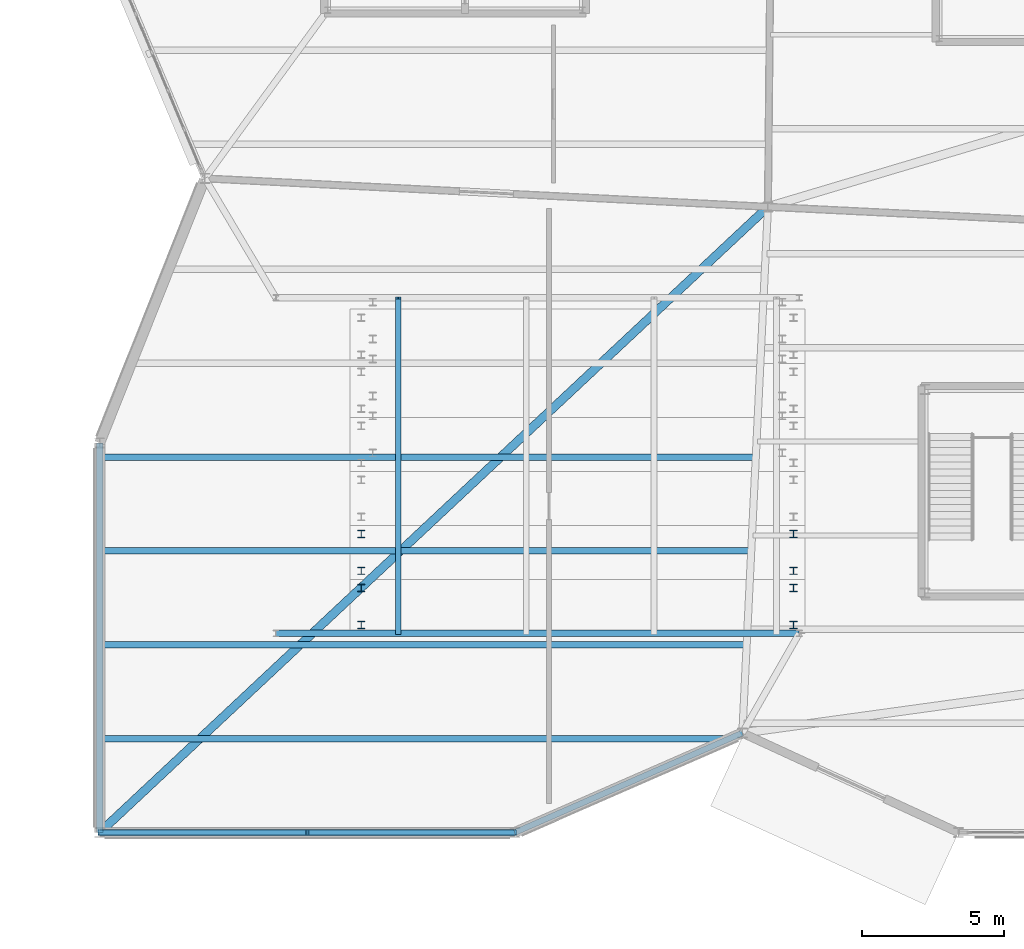
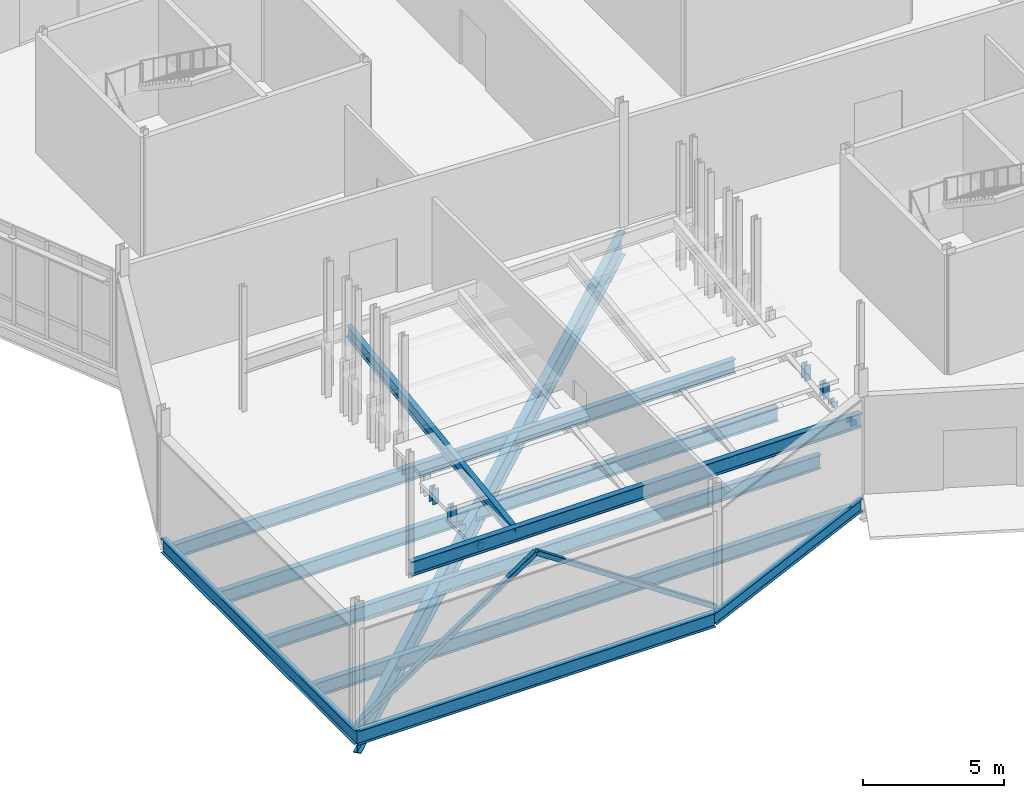
# One storey, part 22 of 113: 10 beams, 8 columns, 2 members.
"""IFC4 building model written with IfcOpenShell, lengths in metres."""

from ifc_helpers import new_model, si_unit, direction, frame, origin, origin_2d, place, context, subcontext, project, spatial, hollow_rectangle, i_section, extrude, material, material_profile, profile_set, type_object, element, save


model = new_model("IFC4")

# Units and contexts
model_context = context("Model", 3, precision=1e-05, world=origin(), true_north=direction((0.0, 1.0)))
body_context = subcontext(model_context, "Body", "Model", "MODEL_VIEW")
ifc_project = project(units=[si_unit("LENGTHUNIT", "METRE"), si_unit("AREAUNIT", "SQUARE_METRE"), si_unit("VOLUMEUNIT", "CUBIC_METRE"), si_unit("PLANEANGLEUNIT", "RADIAN"), si_unit("MASSUNIT", "GRAM", prefix="KILO")], contexts=[model_context])

# Site, building, storey
site_placement = place(None, origin())
site = spatial("IfcSite", under=ifc_project, at=site_placement, CompositionType="ELEMENT")
building_placement = place(site_placement, origin())
building = spatial("IfcBuilding", under=site, at=building_placement, Name="Tameran Prism Museum", CompositionType="ELEMENT")
storey_placement = place(building_placement, origin())
storey = spatial("IfcBuildingStorey", under=building, at=storey_placement, Name="L00", CompositionType="ELEMENT", Elevation=0.0)

# Columns
ifc_material_1 = material(Name="Steel Grade 300PLUS (300 MPa)", Category="steel")
ifc_material_profile_1 = material_profile(ifc_material_1, i_section(OverallWidth=0.25390625, OverallDepth=0.25390625, WebThickness=0.008544921875, FlangeThickness=0.01416015625, FilletRadius=0.0126953125, at=origin_2d()))
ifc_profile_set_1 = profile_set([ifc_material_profile_1])
column_type = type_object("IfcColumnType", Name="COL-UC250B", PredefinedType="COLUMN", material=ifc_profile_set_1)
for number, where, z_axis, x_axis, name in (
    (1, (9.199951171875, 7.300048828125, 0.0), (0.0, 0.0, 1.0), (1.0, 0.0, 0.0), "Auditorium Tier Riser Column CAT-L0-01"),
    (2, (9.199951171875, 8.60009765625, 0.0), (0.0, 0.0, 1.0), (1.0, 0.0, 0.0), "Auditorium Tier Riser Column CAT-L0-02"),
    (3, (24.39990234375, 7.300048828125, 0.0), (0.0, 0.0, 1.0), (1.0, 0.0, 0.0), "Auditorium Tier Riser Column CAT-L0-03"),
    (4, (24.39990234375, 8.60009765625, 0.0), (0.0, 0.0, 1.0), (1.0, 0.0, 0.0), "Auditorium Tier Riser Column CAT-L0-04"),
):
    element("IfcColumn", number, at=place(storey_placement, frame(where, z_axis=z_axis, x_axis=x_axis)), inside=storey, type_object=column_type, Name=name, PredefinedType="COLUMN", context=body_context, shape_type="SweptSolid", body=[
        extrude(i_section(OverallWidth=0.25390625, OverallDepth=0.25390625, WebThickness=0.008544921875, FlangeThickness=0.01416015625, FilletRadius=0.0126953125, at=origin_2d()), origin(), (0.0, 0.0, 1.0), 0.2548828125),
    ])
for number, where, z_axis, x_axis, name in (
    (5, (9.199951171875, 9.199951171875, 0.0), (0.0, 0.0, 1.0), (1.0, 0.0, 0.0), "Auditorium Tier Riser Column CAT-L0-05"),
    (6, (9.199951171875, 10.5, 0.0), (0.0, 0.0, 1.0), (1.0, 0.0, 0.0), "Auditorium Tier Riser Column CAT-L0-06"),
    (7, (24.39990234375, 9.199951171875, 0.0), (0.0, 0.0, 1.0), (1.0, 0.0, 0.0), "Auditorium Tier Riser Column CAT-L0-07"),
    (8, (24.39990234375, 10.5, 0.0), (0.0, 0.0, 1.0), (1.0, 0.0, 0.0), "Auditorium Tier Riser Column CAT-L0-08"),
):
    element("IfcColumn", number, at=place(storey_placement, frame(where, z_axis=z_axis, x_axis=x_axis)), inside=storey, type_object=column_type, Name=name, PredefinedType="COLUMN", context=body_context, shape_type="SweptSolid", body=[
        extrude(i_section(OverallWidth=0.25390625, OverallDepth=0.25390625, WebThickness=0.008544921875, FlangeThickness=0.01416015625, FilletRadius=0.0126953125, at=origin_2d()), origin(), (0.0, 0.0, 1.0), 0.675048828125),
    ])

# Beams
ifc_material_2 = material(Name="Steel Grade 300PLUS (300 MPa)", Category="steel")
ifc_material_profile_2 = material_profile(ifc_material_2, i_section(OverallWidth=0.208984375, OverallDepth=0.532958984375, WebThickness=0.01025390625, FlangeThickness=0.015625, FilletRadius=0.013916015625, at=origin_2d()))
ifc_profile_set_2 = profile_set([ifc_material_profile_2])
beam_type_1 = type_object("IfcBeamType", Name="BM-RAK530", PredefinedType="USERDEFINED", material=ifc_profile_set_2)
beam_1_placement = place(storey_placement, frame((10.5, 7.0, 0.340087890625), z_axis=(0.0, 0.990821558572, 0.135176325848), x_axis=(-1.0, 0.0, 0.0)))
element("IfcBeam", 9, at=beam_1_placement, inside=storey, type_object=beam_type_1, Name="Auditorium Raker Beam RK-1442", ObjectType="RAKER", PredefinedType="USERDEFINED", context=body_context, shape_type="SweptSolid", body=[
    extrude(i_section(OverallWidth=0.208984375, OverallDepth=0.532958984375, WebThickness=0.01025390625, FlangeThickness=0.015625, FilletRadius=0.013916015625, at=origin_2d()), origin(), (0.0, 0.0, 1.0), 11.909423828125),
])
ifc_material_3 = material(Name="Steel Grade 300PLUS (300 MPa)", Category="steel")
ifc_material_profile_3 = material_profile(ifc_material_3, i_section(OverallWidth=0.208984375, OverallDepth=0.532958984375, WebThickness=0.01025390625, FlangeThickness=0.015625, FilletRadius=0.013916015625, at=origin_2d()))
ifc_profile_set_3 = profile_set([ifc_material_profile_3])
beam_type_2 = type_object("IfcBeamType", Name="BM-SP530A", PredefinedType="SPANDREL", material=ifc_profile_set_3)
beam_2_placement = place(storey_placement, frame((14.60009765625, 0.0, -0.506591796875), z_axis=(0.916157334902, 0.40081883402, 0.0), x_axis=(-0.40081883402, 0.916157334902, 0.0)))
element("IfcBeam", 10, at=beam_2_placement, inside=storey, type_object=beam_type_2, Name="Perimeter Spandrel SP-0059", PredefinedType="SPANDREL", context=body_context, shape_type="SweptSolid", body=[
    extrude(i_section(OverallWidth=0.208984375, OverallDepth=0.532958984375, WebThickness=0.01025390625, FlangeThickness=0.015625, FilletRadius=0.013916015625, at=origin_2d()), origin(), (0.0, 0.0, 1.0), 8.732177734375),
])
ifc_material_4 = material(Name="Steel Grade 300PLUS (300 MPa)", Category="steel")
ifc_material_profile_4 = material_profile(ifc_material_4, i_section(OverallWidth=0.22802734375, OverallDepth=0.60205078125, WebThickness=0.010498046875, FlangeThickness=0.014892578125, FilletRadius=0.013916015625, at=origin_2d()))
ifc_profile_set_4 = profile_set([ifc_material_profile_4])
beam_type_3 = type_object("IfcBeamType", Name="BM-SP610", PredefinedType="SPANDREL", material=ifc_profile_set_4)
beam_3_placement = place(storey_placement, frame((0.0, 13.699951171875, -0.541015625), z_axis=(0.0, -1.0, 0.0), x_axis=(1.0, 0.0, 0.0)))
element("IfcBeam", 11, at=beam_3_placement, inside=storey, type_object=beam_type_3, Name="Perimeter Spandrel SP-0057", PredefinedType="SPANDREL", context=body_context, shape_type="SweptSolid", body=[
    extrude(i_section(OverallWidth=0.22802734375, OverallDepth=0.60205078125, WebThickness=0.010498046875, FlangeThickness=0.014892578125, FilletRadius=0.013916015625, at=origin_2d()), origin(), (0.0, 0.0, 1.0), 13.699951171875),
])
beam_4_placement = place(storey_placement, frame((0.0, 0.0, -0.541015625), z_axis=(1.0, 0.0, 0.0), x_axis=(0.0, 1.0, 0.0)))
element("IfcBeam", 12, at=beam_4_placement, inside=storey, type_object=beam_type_3, Name="Perimeter Spandrel SP-0058", PredefinedType="SPANDREL", context=body_context, shape_type="SweptSolid", body=[
    extrude(i_section(OverallWidth=0.22802734375, OverallDepth=0.60205078125, WebThickness=0.010498046875, FlangeThickness=0.014892578125, FilletRadius=0.013916015625, at=origin_2d()), origin(), (0.0, 0.0, 1.0), 14.60009765625),
])
ifc_material_5 = material(Name="Steel Grade 300PLUS (300 MPa)", Category="steel")
ifc_material_profile_5 = material_profile(ifc_material_5, i_section(OverallWidth=0.22900390625, OverallDepth=0.612060546875, WebThickness=0.011962890625, FlangeThickness=0.01953125, FilletRadius=0.013916015625, at=origin_2d()))
ifc_profile_set_5 = profile_set([ifc_material_profile_5])
beam_type_4 = type_object("IfcBeamType", Name="BM-UB610A", PredefinedType="BEAM", material=ifc_profile_set_5)
beam_5_placement = place(storey_placement, frame((6.199951171875, 7.0, 0.340087890625), z_axis=(1.0, 0.0, 0.0), x_axis=(0.0, 1.0, 0.0)))
element("IfcBeam", 13, at=beam_5_placement, inside=storey, type_object=beam_type_4, Name="Auditorium Raker Front Girder RKH-1440", PredefinedType="BEAM", context=body_context, shape_type="SweptSolid", body=[
    extrude(i_section(OverallWidth=0.22900390625, OverallDepth=0.612060546875, WebThickness=0.011962890625, FlangeThickness=0.01953125, FilletRadius=0.013916015625, at=origin_2d()), origin(), (0.0, 0.0, 1.0), 18.400146484375),
])
ifc_material_6 = material(Name="Steel Grade 300PLUS (300 MPa)", Category="steel")
ifc_material_profile_6 = material_profile(ifc_material_6, i_section(OverallWidth=0.22802734375, OverallDepth=0.60693359375, WebThickness=0.01123046875, FlangeThickness=0.017333984375, FilletRadius=0.013916015625, at=origin_2d()))
ifc_profile_set_6 = profile_set([ifc_material_profile_6])
beam_type_5 = type_object("IfcBeamType", Name="BM-UB610B", PredefinedType="BEAM", material=ifc_profile_set_6)
beam_6_placement = place(storey_placement, frame((0.0400390625, 3.300048828125, -0.54345703125), z_axis=(1.0, 0.0, 0.0), x_axis=(0.0, 1.0, 0.0)))
element("IfcBeam", 14, at=beam_6_placement, inside=storey, type_object=beam_type_5, Name="Floor Beam BM-0253", PredefinedType="BEAM", context=body_context, shape_type="SweptSolid", body=[
    extrude(i_section(OverallWidth=0.22802734375, OverallDepth=0.60693359375, WebThickness=0.01123046875, FlangeThickness=0.017333984375, FilletRadius=0.013916015625, at=origin_2d()), origin(), (0.0, 0.0, 1.0), 22.0029296875),
])
beam_7_placement = place(storey_placement, frame((0.0400390625, 6.60009765625, -0.54345703125), z_axis=(1.0, 0.0, 0.0), x_axis=(0.0, 1.0, 0.0)))
element("IfcBeam", 15, at=beam_7_placement, inside=storey, type_object=beam_type_5, Name="Floor Beam BM-0254", PredefinedType="BEAM", context=body_context, shape_type="SweptSolid", body=[
    extrude(i_section(OverallWidth=0.22802734375, OverallDepth=0.60693359375, WebThickness=0.01123046875, FlangeThickness=0.017333984375, FilletRadius=0.013916015625, at=origin_2d()), origin(), (0.0, 0.0, 1.0), 22.6708984375),
])
beam_8_placement = place(storey_placement, frame((0.0400390625, 9.89990234375, -0.54345703125), z_axis=(1.0, 0.0, 0.0), x_axis=(0.0, 1.0, 0.0)))
element("IfcBeam", 16, at=beam_8_placement, inside=storey, type_object=beam_type_5, Name="Floor Beam BM-0255", PredefinedType="BEAM", context=body_context, shape_type="SweptSolid", body=[
    extrude(i_section(OverallWidth=0.22802734375, OverallDepth=0.60693359375, WebThickness=0.01123046875, FlangeThickness=0.017333984375, FilletRadius=0.013916015625, at=origin_2d()), origin(), (0.0, 0.0, 1.0), 22.8310546875),
])
beam_9_placement = place(storey_placement, frame((0.0400390625, 13.199951171875, -0.54345703125), z_axis=(1.0, 0.0, 0.0), x_axis=(0.0, 1.0, 0.0)))
element("IfcBeam", 17, at=beam_9_placement, inside=storey, type_object=beam_type_5, Name="Floor Beam BM-0256", PredefinedType="BEAM", context=body_context, shape_type="SweptSolid", body=[
    extrude(i_section(OverallWidth=0.22802734375, OverallDepth=0.60693359375, WebThickness=0.01123046875, FlangeThickness=0.017333984375, FilletRadius=0.013916015625, at=origin_2d()), origin(), (0.0, 0.0, 1.0), 22.991943359375),
])
ifc_material_7 = material(Name="Steel Grade 350 (350 MPa)", Category="steel")
ifc_material_profile_7 = material_profile(ifc_material_7, i_section(OverallWidth=0.300048828125, OverallDepth=1.0, WebThickness=0.01611328125, FlangeThickness=0.031982421875, at=origin_2d()))
ifc_profile_set_7 = profile_set([ifc_material_profile_7])
beam_type_6 = type_object("IfcBeamType", Name="BM-WB1000", PredefinedType="BEAM", material=ifc_profile_set_7)
beam_10_placement = place(storey_placement, frame((23.5, 22.0, -0.739990234375), z_axis=(-0.730021398632, -0.683424288081, 0.0), x_axis=(0.683424288081, -0.730021398632, 0.0)))
element("IfcBeam", 18, at=beam_10_placement, inside=storey, type_object=beam_type_6, Name="Primary Vertex Girder PG-0061", PredefinedType="BEAM", context=body_context, shape_type="SweptSolid", body=[
    extrude(i_section(OverallWidth=0.300048828125, OverallDepth=1.0, WebThickness=0.01611328125, FlangeThickness=0.031982421875, at=origin_2d()), origin(), (0.0, 0.0, 1.0), 32.19091796875),
])

# Members
ifc_material_8 = material(Name="Steel Grade C350L0 (350 MPa)", Category="steel")
ifc_material_profile_8 = material_profile(ifc_material_8, hollow_rectangle(XDim=0.199951171875, YDim=0.199951171875, WallThickness=0.009033203125, InnerFilletRadius=0.013427734375, OuterFilletRadius=0.0224609375, at=origin_2d()))
ifc_profile_set_8 = profile_set([ifc_material_profile_8])
member_type = type_object("IfcMemberType", Name="MM-BR-SHS200", PredefinedType="BRACE", material=ifc_profile_set_8)
for number, where, z_axis, x_axis, name in (
    (19, (0.0, 0.0, 0.0), (0.830303184983, 0.0, 0.557311960222), (0.0, 1.0, 0.0), "Lateral Chevron Brace CBF-001"),
    (20, (14.60009765625, 0.0, 0.0), (-0.830303184983, 0.0, 0.557311960222), (0.0, -1.0, 0.0), "Lateral Chevron Brace CBF-002"),
):
    element("IfcMember", number, at=place(storey_placement, frame(where, z_axis=z_axis, x_axis=x_axis)), inside=storey, type_object=member_type, Name=name, PredefinedType="BRACE", context=body_context, shape_type="SweptSolid", body=[
        extrude(hollow_rectangle(XDim=0.199951171875, YDim=0.199951171875, WallThickness=0.009033203125, InnerFilletRadius=0.013427734375, OuterFilletRadius=0.0224609375, at=origin_2d()), origin(), (0.0, 0.0, 1.0), 8.7919921875),
    ])

save(model, "model.ifc")
